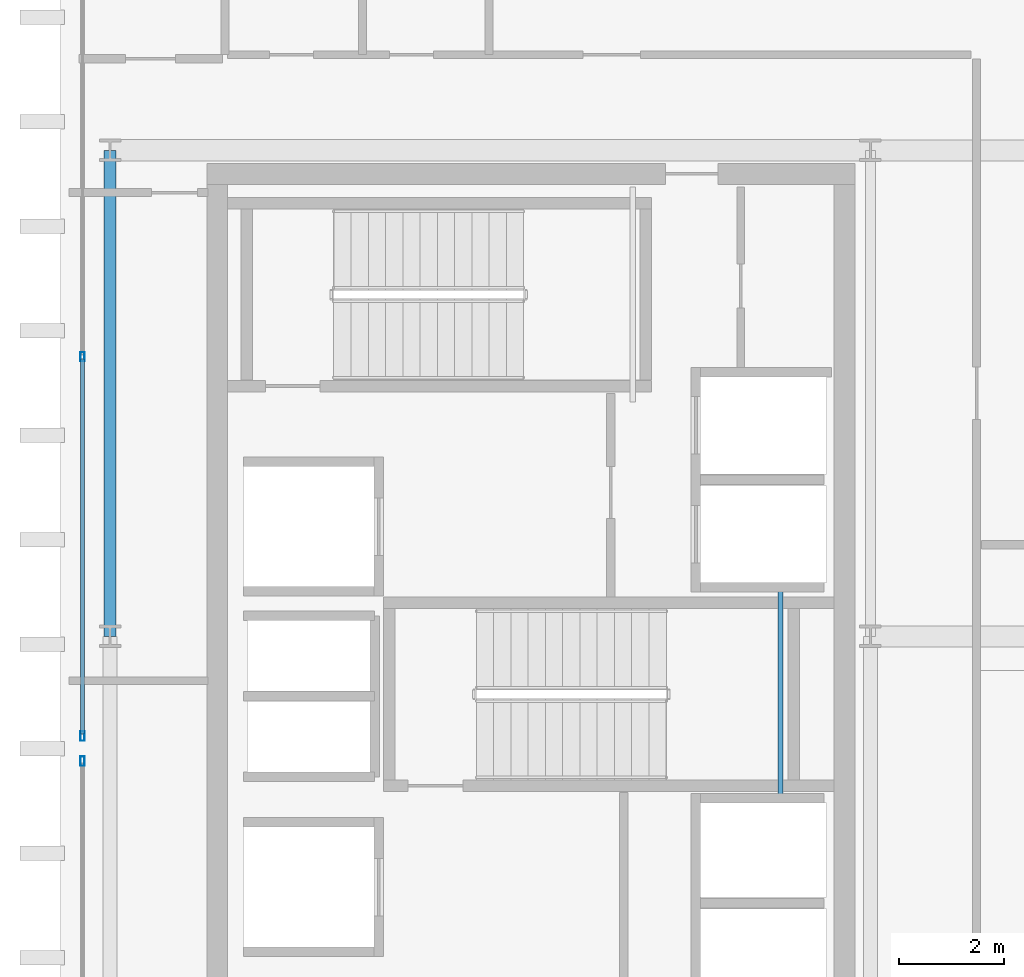
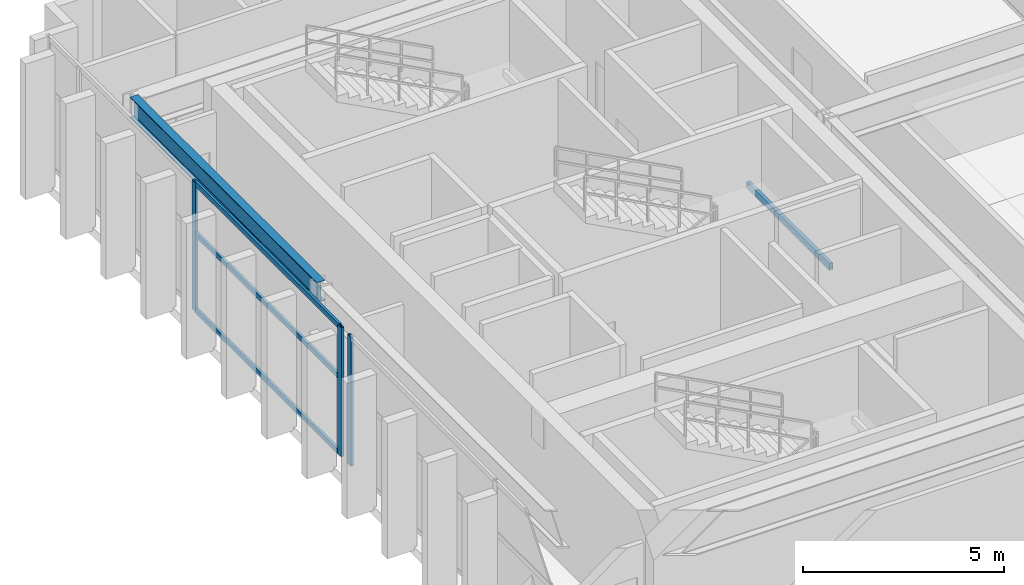
# One storey, part 5 of 14: 6 members, 2 beams, 2 elements without a shape of their own.
"""IFC4 building model written with IfcOpenShell, lengths in metres."""

from ifc_helpers import new_model, si_unit, direction, frame, origin, origin_2d, place, context, subcontext, project, spatial, hollow_rectangle, i_section, extrude, source, transform, mapped, material, layer, layer_set, material_profile, profile_set, type_object, element, aggregate, save


model = new_model("IFC4")

# Units and contexts
model_context = context("Model", 3, precision=1e-05, world=origin(), true_north=direction((0.0, 1.0)))
body_context = subcontext(model_context, "Body", "Model", "MODEL_VIEW")
ifc_project = project(units=[si_unit("LENGTHUNIT", "METRE"), si_unit("AREAUNIT", "SQUARE_METRE"), si_unit("VOLUMEUNIT", "CUBIC_METRE"), si_unit("PLANEANGLEUNIT", "RADIAN"), si_unit("MASSUNIT", "GRAM", prefix="KILO")], contexts=[model_context])

# Site, building, storey
site_placement = place(None, origin())
site = spatial("IfcSite", under=ifc_project, at=site_placement, CompositionType="ELEMENT")
building_placement = place(site_placement, origin())
building = spatial("IfcBuilding", under=site, at=building_placement, Name="Ocotamira Hotel", CompositionType="ELEMENT")
storey_placement = place(building_placement, frame((0.0, 0.0, 301.199951171875)))
storey = spatial("IfcBuildingStorey", under=building, at=storey_placement, Name="L77", CompositionType="ELEMENT", Elevation=301.199951171875)

# Beams
ifc_material_1 = material(Name="Steel ASTM A500 Grade C", Category="steel")
ifc_material_profile_1 = material_profile(ifc_material_1, hollow_rectangle(XDim=0.10009765625, YDim=0.199951171875, WallThickness=0.008056640625, at=origin_2d()), Name="HSS200X100X8")
ifc_profile_set_1 = profile_set([ifc_material_profile_1], Name="Steel ASTM A500 Grade C")
beam_type_1 = type_object("IfcBeamType", Name="BM-STLDG-HSS200", PredefinedType="BEAM", material=ifc_profile_set_1)
shared_shape_1 = source(origin(), body_context, "Body", "SweptSolid", [
    extrude(hollow_rectangle(XDim=0.10009765625, YDim=0.199951171875, WallThickness=0.008056640625, at=origin_2d()), origin(), (0.0, 0.0, 1.0), 4.1201171875),
])
beam_1_placement = place(storey_placement, frame((21.780029296875, 24.97998046875, 1.800048828125), z_axis=(0.0, 1.0, 0.0), x_axis=(-1.0, 0.0, 0.0)))
element("IfcBeam", 1, at=beam_1_placement, inside=storey, type_object=beam_type_1, Name="L77 Stair ST-3 Landing Bearer 1", PredefinedType="BEAM", context=body_context, shape_type="MappedRepresentation", body=[
    mapped(shared_shape_1, transform((0.0, 0.0, 0.0), scale=1.0)),
])
ifc_material_2 = material(Name="Steel ASTM A992 Grade 50", Category="steel")
ifc_material_profile_2 = material_profile(ifc_material_2, i_section(OverallWidth=0.22998046875, OverallDepth=0.616943359375, WebThickness=0.01318359375, FlangeThickness=0.022216796875, FilletRadius=0.012939453125, at=origin_2d()), Name="W24X94")
ifc_profile_set_2 = profile_set([ifc_material_profile_2], Name="Steel ASTM A992 Grade 50")
beam_type_2 = type_object("IfcBeamType", Name="BM-PRIM-W24X94", PredefinedType="BEAM", material=ifc_profile_set_2)
shared_shape_2 = source(origin(), body_context, "Body", "SweptSolid", [
    extrude(i_section(OverallWidth=0.22998046875, OverallDepth=0.616943359375, WebThickness=0.01318359375, FlangeThickness=0.022216796875, FilletRadius=0.012939453125, at=origin_2d()), origin(), (0.0, 0.0, 1.0), 9.300048828125),
])
beam_2_placement = place(storey_placement, frame((8.949951171875, 28.14990234375, 3.611572265625), z_axis=(0.0, 1.0, 0.0), x_axis=(-1.0, 0.0, 0.0)))
element("IfcBeam", 2, at=beam_2_placement, inside=storey, type_object=beam_type_2, Name="L77 Beam X8.95 Y28.15-37.45", PredefinedType="BEAM", context=body_context, shape_type="MappedRepresentation", body=[
    mapped(shared_shape_2, transform((0.0, 0.0, 0.0), scale=1.0)),
])

# Curtain wall, members
ifc_material_3 = material(Name="Anodised pale-metal aluminium and solar glass", Category="aluminium")
ifc_layer = layer(ifc_material_3, 0.2099609375)
ifc_layer_set = layer_set([ifc_layer], Name="Anodised pale-metal aluminium and solar glass")
curtain_wall_type = type_object("IfcCurtainWallType", Name="CW-SYS7-PEAK", PredefinedType="NOTDEFINED", material=ifc_layer_set)
curtain_wall_1_placement = place(storey_placement, origin())
curtain_wall_1 = element("IfcCurtainWall", 3, at=curtain_wall_1_placement, inside=storey, type_object=curtain_wall_type, Name="L77 Curtain Wall CW-7 CW-L77-W2", PredefinedType="NOTDEFINED")
ifc_material_4 = material(Name="Anodised pale-metal aluminium 6063-T6", Category="aluminium")
ifc_material_profile_3 = material_profile(ifc_material_4, hollow_rectangle(XDim=0.074951171875, YDim=0.14990234375, WallThickness=0.006103515625, at=origin_2d()), Name="HSS150X75X6")
ifc_profile_set_3 = profile_set([ifc_material_profile_3], Name="Anodised pale-metal aluminium 6063-T6")
member_type_1 = type_object("IfcMemberType", Name="CWT-150X75", PredefinedType="USERDEFINED", material=ifc_profile_set_3)
shared_shape_3 = source(origin(), body_context, "Body", "SweptSolid", [
    extrude(hollow_rectangle(XDim=0.074951171875, YDim=0.14990234375, WallThickness=0.006103515625, at=origin_2d()), origin(), (0.0, 0.0, 1.0), 7.179931640625),
])
member_1_placement = place(storey_placement, frame((8.419921875, 26.280029296875, 0.03759765625), z_axis=(0.0, 1.0, 0.0), x_axis=(-1.0, 0.0, 0.0)))
member_1 = element("IfcMember", 4, at=member_1_placement, type_object=member_type_1, Name="CW-7 transom 1.1", ObjectType="TRANSOM", PredefinedType="USERDEFINED", context=body_context, shape_type="MappedRepresentation", body=[
    mapped(shared_shape_3, transform((0.0, 0.0, 0.0), scale=1.0)),
])
member_2_placement = place(storey_placement, frame((8.419921875, 26.280029296875, 2.35009765625), z_axis=(0.0, 1.0, 0.0), x_axis=(-1.0, 0.0, 0.0)))
member_2 = element("IfcMember", 5, at=member_2_placement, type_object=member_type_1, Name="CW-7 transom 1.2", ObjectType="TRANSOM", PredefinedType="USERDEFINED", context=body_context, shape_type="MappedRepresentation", body=[
    mapped(shared_shape_3, transform((0.0, 0.0, 0.0), scale=1.0)),
])
member_3_placement = place(storey_placement, frame((8.419921875, 26.280029296875, 3.882568359375), z_axis=(0.0, 1.0, 0.0), x_axis=(-1.0, 0.0, 0.0)))
member_3 = element("IfcMember", 6, at=member_3_placement, type_object=member_type_1, Name="CW-7 transom 1.3", ObjectType="TRANSOM", PredefinedType="USERDEFINED", context=body_context, shape_type="MappedRepresentation", body=[
    mapped(shared_shape_3, transform((0.0, 0.0, 0.0), scale=1.0)),
])

# Curtain wall, member
curtain_wall_2_placement = place(storey_placement, origin())
curtain_wall_2 = element("IfcCurtainWall", 7, at=curtain_wall_2_placement, inside=storey, type_object=curtain_wall_type, Name="L77 Curtain Wall CW-7 CW-L77-W1", PredefinedType="NOTDEFINED")
ifc_material_profile_4 = material_profile(ifc_material_4, hollow_rectangle(XDim=0.080078125, YDim=0.179931640625, WallThickness=0.006103515625, at=origin_2d()), Name="HSS180X80X6")
ifc_profile_set_4 = profile_set([ifc_material_profile_4], Name="Anodised pale-metal aluminium 6063-T6")
member_type_2 = type_object("IfcMemberType", Name="CWM-180X75", PredefinedType="MULLION", material=ifc_profile_set_4)
shared_shape_4 = source(origin(), body_context, "Body", "SweptSolid", [
    extrude(hollow_rectangle(XDim=0.080078125, YDim=0.179931640625, WallThickness=0.006103515625, at=origin_2d()), origin(), (0.0, 0.0, 1.0), 3.920166015625),
])
member_4_placement = place(storey_placement, frame((8.419921875, 25.760009765625, 0.0), z_axis=(0.0, 0.0, 1.0), x_axis=(-1.0, 0.0, 0.0)))
member_4 = element("IfcMember", 8, at=member_4_placement, type_object=member_type_2, Name="CW-7 mullion 3", PredefinedType="MULLION", context=body_context, shape_type="MappedRepresentation", body=[
    mapped(shared_shape_4, transform((0.0, 0.0, 0.0), scale=1.0)),
])
aggregate(curtain_wall_2, [member_4])

# Member
member_5_placement = place(storey_placement, frame((8.419921875, 26.239990234375, 0.0), z_axis=(0.0, 0.0, 1.0), x_axis=(-1.0, 0.0, 0.0)))
member_5 = element("IfcMember", 9, at=member_5_placement, type_object=member_type_2, Name="CW-7 mullion 1", PredefinedType="MULLION", context=body_context, shape_type="MappedRepresentation", body=[
    mapped(shared_shape_4, transform((0.0, 0.0, 0.0), scale=1.0)),
])

member_6_placement = place(storey_placement, frame((8.419921875, 33.5, 0.0), z_axis=(0.0, 0.0, 1.0), x_axis=(-1.0, 0.0, 0.0)))
member_6 = element("IfcMember", 10, at=member_6_placement, type_object=member_type_2, Name="CW-7 mullion 2", PredefinedType="MULLION", context=body_context, shape_type="MappedRepresentation", body=[
    mapped(shared_shape_4, transform((0.0, 0.0, 0.0), scale=1.0)),
])

aggregate(curtain_wall_1, [member_5, member_6, member_1, member_2, member_3])

save(model, "model.ifc")
